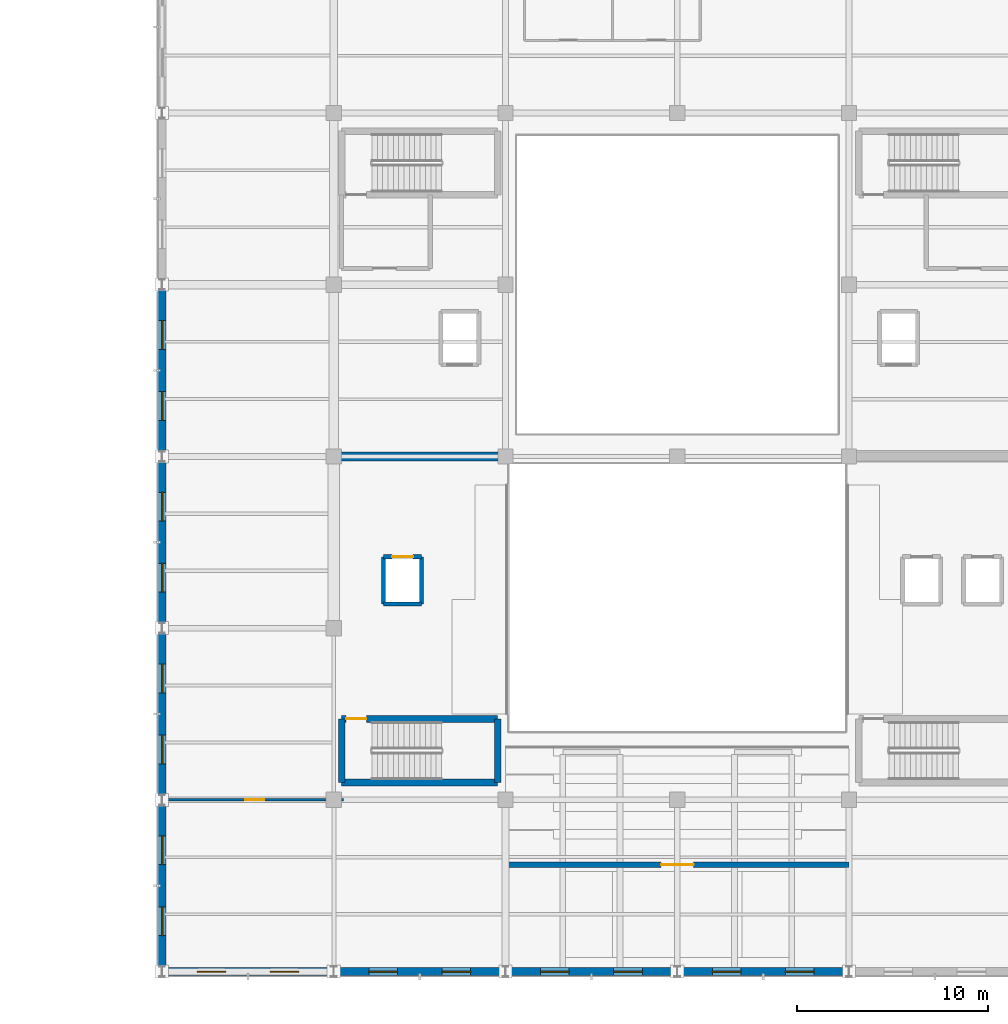
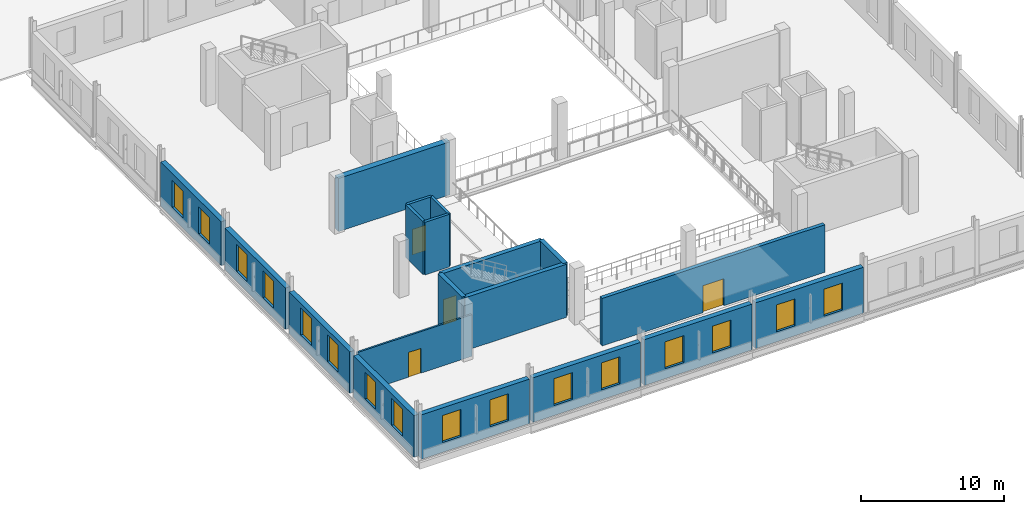
# One storey, part 18 of 35: 19 walls, 16 windows, 4 doors, 20 openings.
"""IFC4 building model written with IfcOpenShell, lengths in metres."""

from ifc_helpers import new_model, si_unit, direction, frame, frame_2d, origin, place, context, subcontext, project, spatial, rectangle, extrude, material, layer, layer_set, type_object, element, fill, save


model = new_model("IFC4")

# Units and contexts
model_context = context("Model", 3, precision=1e-05, world=origin(), true_north=direction((0.0, 1.0)))
body_context = subcontext(model_context, "Body", "Model", "MODEL_VIEW")
ifc_project = project(units=[si_unit("LENGTHUNIT", "METRE"), si_unit("AREAUNIT", "SQUARE_METRE"), si_unit("VOLUMEUNIT", "CUBIC_METRE"), si_unit("PLANEANGLEUNIT", "RADIAN"), si_unit("MASSUNIT", "GRAM", prefix="KILO")], contexts=[model_context])

# Site, building, storey
site_placement = place(None, origin())
site = spatial("IfcSite", under=ifc_project, at=site_placement, CompositionType="ELEMENT")
building_placement = place(site_placement, origin())
building = spatial("IfcBuilding", under=site, at=building_placement, Name="Sundgate Opera House", CompositionType="ELEMENT")
storey_placement = place(building_placement, frame((0.0, 0.0, 21.60009765625)))
storey = spatial("IfcBuildingStorey", under=building, at=storey_placement, Name="L04", CompositionType="ELEMENT", Elevation=21.60009765625)

# Wall
ifc_material_1 = material(Name="Concrete C40/50", Category="concrete")
ifc_layer_1 = layer(ifc_material_1, 0.35009765625)
ifc_layer_set_1 = layer_set([ifc_layer_1], Name="Concrete C40/50")
wall_type_1 = type_object("IfcWallType", Name="WL-CORE-350", PredefinedType="SHEAR", material=ifc_layer_set_1)
wall_1_placement = place(storey_placement, frame((36.409912109375, 42.909912109375, 0.0), z_axis=(0.0, 0.0, 1.0), x_axis=(1.0, 0.0, 0.0)))
element("IfcWall", 1, at=wall_1_placement, inside=storey, type_object=wall_type_1, Name="L04 C1 South Shaft Wall", PredefinedType="SHEAR", context=body_context, shape_type="SweptSolid", body=[
    extrude(rectangle(XDim=8.18017578125, YDim=0.35009765625, at=frame_2d((4.090087890625, 0.0))), origin(), (0.0, 0.0, 1.0), 4.539794921875),
])

# Wall, opening, door
wall_2_placement = place(storey_placement, frame((36.409912109375, 46.239990234375, 0.0), z_axis=(0.0, 0.0, 1.0), x_axis=(1.0, 0.0, 0.0)))
wall_2 = element("IfcWall", 2, at=wall_2_placement, inside=storey, type_object=wall_type_1, Name="L04 C1 North Shaft Wall", PredefinedType="SHEAR", context=body_context, shape_type="SweptSolid", body=[
    extrude(rectangle(XDim=8.18017578125, YDim=0.35009765625, at=frame_2d((4.090087890625, 0.0))), origin(), (0.0, 0.0, 1.0), 4.539794921875),
])
opening_1_placement = place(wall_2_placement, frame((0.239990234375, 0.0, 0.0)))
opening_1 = element("IfcOpeningElement", 3, at=opening_1_placement, cuts=wall_2, Name="Opening DI01", PredefinedType="OPENING", context=body_context, shape_type="SweptSolid", body=[
    extrude(rectangle(XDim=1.050048828125, YDim=2.179931640625, at=frame_2d((0.52490234375, 1.08984375))), frame((0.0, 0.18505859375, 0.0), z_axis=(0.0, -1.0, 0.0), x_axis=(1.0, 0.0, 0.0)), (0.0, 0.0, 1.0), 0.3701171875),
])
ifc_material_2 = material(Name="Acoustic hardwood timber and steel core", Category="steel")
door_type_1 = type_object("IfcDoorType", Name="DR-STAIR-1050x2180", OperationType="NOTDEFINED", PredefinedType="DOOR", material=ifc_material_2)
door_1_placement = place(opening_1_placement, origin())
door_1 = element("IfcDoor", 4, at=door_1_placement, inside=storey, type_object=door_type_1, Name="L04 C1 Stair Door D0030", OperationType="SINGLE_SWING_RIGHT", OverallHeight=2.179931640625, OverallWidth=1.050048828125, PredefinedType="DOOR", context=body_context, shape_type="SweptSolid", body=[
    extrude(rectangle(XDim=1.050048828125, YDim=2.179931640625, at=frame_2d((0.52490234375, 1.08984375))), frame((0.0, 0.02490234375, 0.0), z_axis=(0.0, -1.0, 0.0), x_axis=(1.0, 0.0, 0.0)), (0.0, 0.0, 1.0), 0.050048828125),
])
fill(opening_1, door_1)

# Walls
for number, where, z_axis, x_axis, name in (
    (5, (36.409912109375, 42.909912109375, 0.0), (0.0, 0.0, 1.0), (0.0, 1.0, 0.0), "L04 C1 West Shaft Wall"),
    (6, (44.590087890625, 42.909912109375, 0.0), (0.0, 0.0, 1.0), (0.0, 1.0, 0.0), "L04 C1 East Shaft Wall"),
):
    element("IfcWall", number, at=place(storey_placement, frame(where, z_axis=z_axis, x_axis=x_axis)), inside=storey, type_object=wall_type_1, Name=name, PredefinedType="SHEAR", context=body_context, shape_type="SweptSolid", body=[
        extrude(rectangle(XDim=3.330078125, YDim=0.35009765625, at=frame_2d((1.6650390625, 0.0))), origin(), (0.0, 0.0, 1.0), 4.539794921875),
    ])

# Wall, openings, windows
ifc_material_3 = material(Name="Vitrified stoneware trencadis and brick masonry", Category="masonry")
ifc_layer_2 = layer(ifc_material_3, 0.409912109375)
ifc_layer_set_2 = layer_set([ifc_layer_2], Name="Vitrified stoneware trencadis and brick masonry")
wall_type_2 = type_object("IfcWallType", Name="WL-EXT-TRENC-410", PredefinedType="SOLIDWALL", material=ifc_layer_set_2)
wall_3_placement = place(storey_placement, frame((35.85498046875, 33.0, 0.0), z_axis=(0.0, 0.0, 1.0), x_axis=(-1.0, 0.0, 0.0)))
wall_3 = element("IfcWall", 7, at=wall_3_placement, inside=storey, type_object=wall_type_2, Name="L04 Lifted Cube South Relief Wall W0093", PredefinedType="SOLIDWALL", context=body_context, shape_type="SweptSolid", body=[
    extrude(rectangle(XDim=8.7099609375, YDim=0.409912109375, at=frame_2d((4.35498046875, 0.0))), origin(), (0.0, 0.0, 1.0), 3.804931640625),
])
opening_2_placement = place(wall_3_placement, frame((1.68896484375, 0.0, 0.85009765625)))
opening_2 = element("IfcOpeningElement", 8, at=opening_2_placement, cuts=wall_3, Name="Opening W02", PredefinedType="OPENING", context=body_context, shape_type="SweptSolid", body=[
    extrude(rectangle(XDim=1.5, YDim=2.300048828125, at=frame_2d((0.75, 1.14990234375))), frame((0.0, 0.21484375, 0.0), z_axis=(0.0, -1.0, 0.0), x_axis=(1.0, 0.0, 0.0)), (0.0, 0.0, 1.0), 0.429931640625),
])
opening_3_placement = place(wall_3_placement, frame((5.52099609375, 0.0, 0.85009765625)))
opening_3 = element("IfcOpeningElement", 9, at=opening_3_placement, cuts=wall_3, Name="Opening W02", PredefinedType="OPENING", context=body_context, shape_type="SweptSolid", body=[
    extrude(rectangle(XDim=1.5, YDim=2.300048828125, at=frame_2d((0.75, 1.14990234375))), frame((0.0, 0.21484375, 0.0), z_axis=(0.0, -1.0, 0.0), x_axis=(1.0, 0.0, 0.0)), (0.0, 0.0, 1.0), 0.429931640625),
])
ifc_material_4 = material(Name="Low-iron triple glazing in patinated bronze frame", Category="glass")
window_type = type_object("IfcWindowType", Name="WN-CUBE-1500x2300", PartitioningType="SINGLE_PANEL", PredefinedType="WINDOW", material=ifc_material_4)
window_1_placement = place(opening_2_placement, origin())
window_1 = element("IfcWindow", 10, at=window_1_placement, inside=storey, type_object=window_type, Name="L04 Cube Loggia Window WN0057", OverallHeight=2.300048828125, OverallWidth=1.5, PartitioningType="SINGLE_PANEL", PredefinedType="WINDOW", context=body_context, shape_type="SweptSolid", body=[
    extrude(rectangle(XDim=1.5, YDim=2.300048828125, at=frame_2d((0.75, 1.14990234375))), frame((0.0, 0.030029296875, 0.0), z_axis=(0.0, -1.0, 0.0), x_axis=(1.0, 0.0, 0.0)), (0.0, 0.0, 1.0), 0.06005859375),
])
fill(opening_2, window_1)
window_2_placement = place(opening_3_placement, origin())
window_2 = element("IfcWindow", 11, at=window_2_placement, inside=storey, type_object=window_type, Name="L04 Cube Loggia Window WN0058", OverallHeight=2.300048828125, OverallWidth=1.5, PartitioningType="SINGLE_PANEL", PredefinedType="WINDOW", context=body_context, shape_type="SweptSolid", body=[
    extrude(rectangle(XDim=1.5, YDim=2.300048828125, at=frame_2d((0.75, 1.14990234375))), frame((0.0, 0.030029296875, 0.0), z_axis=(0.0, -1.0, 0.0), x_axis=(1.0, 0.0, 0.0)), (0.0, 0.0, 1.0), 0.06005859375),
])
fill(opening_3, window_2)

wall_4_placement = place(storey_placement, frame((44.85498046875, 33.0, 0.0), z_axis=(0.0, 0.0, 1.0), x_axis=(-1.0, 0.0, 0.0)))
wall_4 = element("IfcWall", 12, at=wall_4_placement, inside=storey, type_object=wall_type_2, Name="L04 Lifted Cube South Relief Wall W0095", PredefinedType="SOLIDWALL", context=body_context, shape_type="SweptSolid", body=[
    extrude(rectangle(XDim=8.7099609375, YDim=0.409912109375, at=frame_2d((4.35498046875, 0.0))), origin(), (0.0, 0.0, 1.0), 3.804931640625),
])
opening_4_placement = place(wall_4_placement, frame((1.68896484375, 0.0, 0.85009765625)))
opening_4 = element("IfcOpeningElement", 13, at=opening_4_placement, cuts=wall_4, Name="Opening W02", PredefinedType="OPENING", context=body_context, shape_type="SweptSolid", body=[
    extrude(rectangle(XDim=1.5, YDim=2.300048828125, at=frame_2d((0.75, 1.14990234375))), frame((0.0, 0.21484375, 0.0), z_axis=(0.0, -1.0, 0.0), x_axis=(1.0, 0.0, 0.0)), (0.0, 0.0, 1.0), 0.429931640625),
])
opening_5_placement = place(wall_4_placement, frame((5.52099609375, 0.0, 0.85009765625)))
opening_5 = element("IfcOpeningElement", 14, at=opening_5_placement, cuts=wall_4, Name="Opening W02", PredefinedType="OPENING", context=body_context, shape_type="SweptSolid", body=[
    extrude(rectangle(XDim=1.5, YDim=2.300048828125, at=frame_2d((0.75, 1.14990234375))), frame((0.0, 0.21484375, 0.0), z_axis=(0.0, -1.0, 0.0), x_axis=(1.0, 0.0, 0.0)), (0.0, 0.0, 1.0), 0.429931640625),
])
window_3_placement = place(opening_4_placement, origin())
window_3 = element("IfcWindow", 15, at=window_3_placement, inside=storey, type_object=window_type, Name="L04 Cube Loggia Window WN0061", OverallHeight=2.300048828125, OverallWidth=1.5, PartitioningType="SINGLE_PANEL", PredefinedType="WINDOW", context=body_context, shape_type="SweptSolid", body=[
    extrude(rectangle(XDim=1.5, YDim=2.300048828125, at=frame_2d((0.75, 1.14990234375))), frame((0.0, 0.030029296875, 0.0), z_axis=(0.0, -1.0, 0.0), x_axis=(1.0, 0.0, 0.0)), (0.0, 0.0, 1.0), 0.06005859375),
])
fill(opening_4, window_3)
window_4_placement = place(opening_5_placement, origin())
window_4 = element("IfcWindow", 16, at=window_4_placement, inside=storey, type_object=window_type, Name="L04 Cube Loggia Window WN0062", OverallHeight=2.300048828125, OverallWidth=1.5, PartitioningType="SINGLE_PANEL", PredefinedType="WINDOW", context=body_context, shape_type="SweptSolid", body=[
    extrude(rectangle(XDim=1.5, YDim=2.300048828125, at=frame_2d((0.75, 1.14990234375))), frame((0.0, 0.030029296875, 0.0), z_axis=(0.0, -1.0, 0.0), x_axis=(1.0, 0.0, 0.0)), (0.0, 0.0, 1.0), 0.06005859375),
])
fill(opening_5, window_4)

wall_5_placement = place(storey_placement, frame((53.85498046875, 33.0, 0.0), z_axis=(0.0, 0.0, 1.0), x_axis=(-1.0, 0.0, 0.0)))
wall_5 = element("IfcWall", 17, at=wall_5_placement, inside=storey, type_object=wall_type_2, Name="L04 Lifted Cube South Relief Wall W0097", PredefinedType="SOLIDWALL", context=body_context, shape_type="SweptSolid", body=[
    extrude(rectangle(XDim=8.7099609375, YDim=0.409912109375, at=frame_2d((4.35498046875, 0.0))), origin(), (0.0, 0.0, 1.0), 3.914794921875),
])
opening_6_placement = place(wall_5_placement, frame((1.68896484375, 0.0, 0.85009765625)))
opening_6 = element("IfcOpeningElement", 18, at=opening_6_placement, cuts=wall_5, Name="Opening W02", PredefinedType="OPENING", context=body_context, shape_type="SweptSolid", body=[
    extrude(rectangle(XDim=1.5, YDim=2.300048828125, at=frame_2d((0.75, 1.14990234375))), frame((0.0, 0.21484375, 0.0), z_axis=(0.0, -1.0, 0.0), x_axis=(1.0, 0.0, 0.0)), (0.0, 0.0, 1.0), 0.429931640625),
])
opening_7_placement = place(wall_5_placement, frame((5.52099609375, 0.0, 0.85009765625)))
opening_7 = element("IfcOpeningElement", 19, at=opening_7_placement, cuts=wall_5, Name="Opening W02", PredefinedType="OPENING", context=body_context, shape_type="SweptSolid", body=[
    extrude(rectangle(XDim=1.5, YDim=2.300048828125, at=frame_2d((0.75, 1.14990234375))), frame((0.0, 0.21484375, 0.0), z_axis=(0.0, -1.0, 0.0), x_axis=(1.0, 0.0, 0.0)), (0.0, 0.0, 1.0), 0.429931640625),
])
window_5_placement = place(opening_6_placement, origin())
window_5 = element("IfcWindow", 20, at=window_5_placement, inside=storey, type_object=window_type, Name="L04 Cube Loggia Window WN0065", OverallHeight=2.300048828125, OverallWidth=1.5, PartitioningType="SINGLE_PANEL", PredefinedType="WINDOW", context=body_context, shape_type="SweptSolid", body=[
    extrude(rectangle(XDim=1.5, YDim=2.300048828125, at=frame_2d((0.75, 1.14990234375))), frame((0.0, 0.030029296875, 0.0), z_axis=(0.0, -1.0, 0.0), x_axis=(1.0, 0.0, 0.0)), (0.0, 0.0, 1.0), 0.06005859375),
])
fill(opening_6, window_5)
window_6_placement = place(opening_7_placement, origin())
window_6 = element("IfcWindow", 21, at=window_6_placement, inside=storey, type_object=window_type, Name="L04 Cube Loggia Window WN0066", OverallHeight=2.300048828125, OverallWidth=1.5, PartitioningType="SINGLE_PANEL", PredefinedType="WINDOW", context=body_context, shape_type="SweptSolid", body=[
    extrude(rectangle(XDim=1.5, YDim=2.300048828125, at=frame_2d((0.75, 1.14990234375))), frame((0.0, 0.030029296875, 0.0), z_axis=(0.0, -1.0, 0.0), x_axis=(1.0, 0.0, 0.0)), (0.0, 0.0, 1.0), 0.06005859375),
])
fill(opening_7, window_6)

wall_6_placement = place(storey_placement, frame((62.85498046875, 33.0, 0.0), z_axis=(0.0, 0.0, 1.0), x_axis=(-1.0, 0.0, 0.0)))
wall_6 = element("IfcWall", 22, at=wall_6_placement, inside=storey, type_object=wall_type_2, Name="L04 Lifted Cube South Relief Wall W0099", PredefinedType="SOLIDWALL", context=body_context, shape_type="SweptSolid", body=[
    extrude(rectangle(XDim=8.7099609375, YDim=0.409912109375, at=frame_2d((4.35498046875, 0.0))), origin(), (0.0, 0.0, 1.0), 3.914794921875),
])
opening_8_placement = place(wall_6_placement, frame((1.68896484375, 0.0, 0.85009765625)))
opening_8 = element("IfcOpeningElement", 23, at=opening_8_placement, cuts=wall_6, Name="Opening W02", PredefinedType="OPENING", context=body_context, shape_type="SweptSolid", body=[
    extrude(rectangle(XDim=1.5, YDim=2.300048828125, at=frame_2d((0.75, 1.14990234375))), frame((0.0, 0.21484375, 0.0), z_axis=(0.0, -1.0, 0.0), x_axis=(1.0, 0.0, 0.0)), (0.0, 0.0, 1.0), 0.429931640625),
])
opening_9_placement = place(wall_6_placement, frame((5.52099609375, 0.0, 0.85009765625)))
opening_9 = element("IfcOpeningElement", 24, at=opening_9_placement, cuts=wall_6, Name="Opening W02", PredefinedType="OPENING", context=body_context, shape_type="SweptSolid", body=[
    extrude(rectangle(XDim=1.5, YDim=2.300048828125, at=frame_2d((0.75, 1.14990234375))), frame((0.0, 0.21484375, 0.0), z_axis=(0.0, -1.0, 0.0), x_axis=(1.0, 0.0, 0.0)), (0.0, 0.0, 1.0), 0.429931640625),
])
window_7_placement = place(opening_8_placement, origin())
window_7 = element("IfcWindow", 25, at=window_7_placement, inside=storey, type_object=window_type, Name="L04 Cube Loggia Window WN0069", OverallHeight=2.300048828125, OverallWidth=1.5, PartitioningType="SINGLE_PANEL", PredefinedType="WINDOW", context=body_context, shape_type="SweptSolid", body=[
    extrude(rectangle(XDim=1.5, YDim=2.300048828125, at=frame_2d((0.75, 1.14990234375))), frame((0.0, 0.030029296875, 0.0), z_axis=(0.0, -1.0, 0.0), x_axis=(1.0, 0.0, 0.0)), (0.0, 0.0, 1.0), 0.06005859375),
])
fill(opening_8, window_7)
window_8_placement = place(opening_9_placement, origin())
window_8 = element("IfcWindow", 26, at=window_8_placement, inside=storey, type_object=window_type, Name="L04 Cube Loggia Window WN0070", OverallHeight=2.300048828125, OverallWidth=1.5, PartitioningType="SINGLE_PANEL", PredefinedType="WINDOW", context=body_context, shape_type="SweptSolid", body=[
    extrude(rectangle(XDim=1.5, YDim=2.300048828125, at=frame_2d((0.75, 1.14990234375))), frame((0.0, 0.030029296875, 0.0), z_axis=(0.0, -1.0, 0.0), x_axis=(1.0, 0.0, 0.0)), (0.0, 0.0, 1.0), 0.06005859375),
])
fill(opening_9, window_8)

wall_7_placement = place(storey_placement, frame((27.0, 41.72998046875, 0.0), z_axis=(0.0, 0.0, 1.0), x_axis=(0.0, -1.0, 0.0)))
wall_7 = element("IfcWall", 27, at=wall_7_placement, inside=storey, type_object=wall_type_2, Name="L04 Lifted Cube West Relief Wall W0105", PredefinedType="SOLIDWALL", context=body_context, shape_type="SweptSolid", body=[
    extrude(rectangle(XDim=8.4599609375, YDim=0.409912109375, at=frame_2d((4.22998046875, 0.0))), origin(), (0.0, 0.0, 1.0), 3.554931640625),
])
opening_10_placement = place(wall_7_placement, frame((1.618896484375, 0.0, 0.85009765625)))
opening_10 = element("IfcOpeningElement", 28, at=opening_10_placement, cuts=wall_7, Name="Opening W02", PredefinedType="OPENING", context=body_context, shape_type="SweptSolid", body=[
    extrude(rectangle(XDim=1.5, YDim=2.300048828125, at=frame_2d((0.75, 1.14990234375))), frame((0.0, 0.21484375, 0.0), z_axis=(0.0, -1.0, 0.0), x_axis=(1.0, 0.0, 0.0)), (0.0, 0.0, 1.0), 0.429931640625),
])
opening_11_placement = place(wall_7_placement, frame((5.341064453125, 0.0, 0.85009765625)))
opening_11 = element("IfcOpeningElement", 29, at=opening_11_placement, cuts=wall_7, Name="Opening W02", PredefinedType="OPENING", context=body_context, shape_type="SweptSolid", body=[
    extrude(rectangle(XDim=1.5, YDim=2.300048828125, at=frame_2d((0.75, 1.14990234375))), frame((0.0, 0.21484375, 0.0), z_axis=(0.0, -1.0, 0.0), x_axis=(1.0, 0.0, 0.0)), (0.0, 0.0, 1.0), 0.429931640625),
])
window_9_placement = place(opening_10_placement, origin())
window_9 = element("IfcWindow", 30, at=window_9_placement, inside=storey, type_object=window_type, Name="L04 Cube Loggia Window WN0081", OverallHeight=2.300048828125, OverallWidth=1.5, PartitioningType="SINGLE_PANEL", PredefinedType="WINDOW", context=body_context, shape_type="SweptSolid", body=[
    extrude(rectangle(XDim=1.5, YDim=2.300048828125, at=frame_2d((0.75, 1.14990234375))), frame((0.0, 0.030029296875, 0.0), z_axis=(0.0, -1.0, 0.0), x_axis=(1.0, 0.0, 0.0)), (0.0, 0.0, 1.0), 0.06005859375),
])
fill(opening_10, window_9)
window_10_placement = place(opening_11_placement, origin())
window_10 = element("IfcWindow", 31, at=window_10_placement, inside=storey, type_object=window_type, Name="L04 Cube Loggia Window WN0082", OverallHeight=2.300048828125, OverallWidth=1.5, PartitioningType="SINGLE_PANEL", PredefinedType="WINDOW", context=body_context, shape_type="SweptSolid", body=[
    extrude(rectangle(XDim=1.5, YDim=2.300048828125, at=frame_2d((0.75, 1.14990234375))), frame((0.0, 0.030029296875, 0.0), z_axis=(0.0, -1.0, 0.0), x_axis=(1.0, 0.0, 0.0)), (0.0, 0.0, 1.0), 0.06005859375),
])
fill(opening_11, window_10)

wall_8_placement = place(storey_placement, frame((27.0, 50.72998046875, 0.0), z_axis=(0.0, 0.0, 1.0), x_axis=(0.0, -1.0, 0.0)))
wall_8 = element("IfcWall", 32, at=wall_8_placement, inside=storey, type_object=wall_type_2, Name="L04 Lifted Cube West Relief Wall W0107", PredefinedType="SOLIDWALL", context=body_context, shape_type="SweptSolid", body=[
    extrude(rectangle(XDim=8.4599609375, YDim=0.409912109375, at=frame_2d((4.22998046875, 0.0))), origin(), (0.0, 0.0, 1.0), 3.554931640625),
])
opening_12_placement = place(wall_8_placement, frame((1.618896484375, 0.0, 0.85009765625)))
opening_12 = element("IfcOpeningElement", 33, at=opening_12_placement, cuts=wall_8, Name="Opening W02", PredefinedType="OPENING", context=body_context, shape_type="SweptSolid", body=[
    extrude(rectangle(XDim=1.5, YDim=2.300048828125, at=frame_2d((0.75, 1.14990234375))), frame((0.0, 0.21484375, 0.0), z_axis=(0.0, -1.0, 0.0), x_axis=(1.0, 0.0, 0.0)), (0.0, 0.0, 1.0), 0.429931640625),
])
opening_13_placement = place(wall_8_placement, frame((5.341064453125, 0.0, 0.85009765625)))
opening_13 = element("IfcOpeningElement", 34, at=opening_13_placement, cuts=wall_8, Name="Opening W02", PredefinedType="OPENING", context=body_context, shape_type="SweptSolid", body=[
    extrude(rectangle(XDim=1.5, YDim=2.300048828125, at=frame_2d((0.75, 1.14990234375))), frame((0.0, 0.21484375, 0.0), z_axis=(0.0, -1.0, 0.0), x_axis=(1.0, 0.0, 0.0)), (0.0, 0.0, 1.0), 0.429931640625),
])
window_11_placement = place(opening_12_placement, origin())
window_11 = element("IfcWindow", 35, at=window_11_placement, inside=storey, type_object=window_type, Name="L04 Cube Loggia Window WN0085", OverallHeight=2.300048828125, OverallWidth=1.5, PartitioningType="SINGLE_PANEL", PredefinedType="WINDOW", context=body_context, shape_type="SweptSolid", body=[
    extrude(rectangle(XDim=1.5, YDim=2.300048828125, at=frame_2d((0.75, 1.14990234375))), frame((0.0, 0.030029296875, 0.0), z_axis=(0.0, -1.0, 0.0), x_axis=(1.0, 0.0, 0.0)), (0.0, 0.0, 1.0), 0.06005859375),
])
fill(opening_12, window_11)
window_12_placement = place(opening_13_placement, origin())
window_12 = element("IfcWindow", 36, at=window_12_placement, inside=storey, type_object=window_type, Name="L04 Cube Loggia Window WN0086", OverallHeight=2.300048828125, OverallWidth=1.5, PartitioningType="SINGLE_PANEL", PredefinedType="WINDOW", context=body_context, shape_type="SweptSolid", body=[
    extrude(rectangle(XDim=1.5, YDim=2.300048828125, at=frame_2d((0.75, 1.14990234375))), frame((0.0, 0.030029296875, 0.0), z_axis=(0.0, -1.0, 0.0), x_axis=(1.0, 0.0, 0.0)), (0.0, 0.0, 1.0), 0.06005859375),
])
fill(opening_13, window_12)

wall_9_placement = place(storey_placement, frame((27.0, 59.72998046875, 0.0), z_axis=(0.0, 0.0, 1.0), x_axis=(0.0, -1.0, 0.0)))
wall_9 = element("IfcWall", 37, at=wall_9_placement, inside=storey, type_object=wall_type_2, Name="L04 Lifted Cube West Relief Wall W0109", PredefinedType="SOLIDWALL", context=body_context, shape_type="SweptSolid", body=[
    extrude(rectangle(XDim=8.4599609375, YDim=0.409912109375, at=frame_2d((4.22998046875, 0.0))), origin(), (0.0, 0.0, 1.0), 3.554931640625),
])
opening_14_placement = place(wall_9_placement, frame((1.618896484375, 0.0, 0.85009765625)))
opening_14 = element("IfcOpeningElement", 38, at=opening_14_placement, cuts=wall_9, Name="Opening W02", PredefinedType="OPENING", context=body_context, shape_type="SweptSolid", body=[
    extrude(rectangle(XDim=1.5, YDim=2.300048828125, at=frame_2d((0.75, 1.14990234375))), frame((0.0, 0.21484375, 0.0), z_axis=(0.0, -1.0, 0.0), x_axis=(1.0, 0.0, 0.0)), (0.0, 0.0, 1.0), 0.429931640625),
])
opening_15_placement = place(wall_9_placement, frame((5.341064453125, 0.0, 0.85009765625)))
opening_15 = element("IfcOpeningElement", 39, at=opening_15_placement, cuts=wall_9, Name="Opening W02", PredefinedType="OPENING", context=body_context, shape_type="SweptSolid", body=[
    extrude(rectangle(XDim=1.5, YDim=2.300048828125, at=frame_2d((0.75, 1.14990234375))), frame((0.0, 0.21484375, 0.0), z_axis=(0.0, -1.0, 0.0), x_axis=(1.0, 0.0, 0.0)), (0.0, 0.0, 1.0), 0.429931640625),
])
window_13_placement = place(opening_14_placement, origin())
window_13 = element("IfcWindow", 40, at=window_13_placement, inside=storey, type_object=window_type, Name="L04 Cube Loggia Window WN0089", OverallHeight=2.300048828125, OverallWidth=1.5, PartitioningType="SINGLE_PANEL", PredefinedType="WINDOW", context=body_context, shape_type="SweptSolid", body=[
    extrude(rectangle(XDim=1.5, YDim=2.300048828125, at=frame_2d((0.75, 1.14990234375))), frame((0.0, 0.030029296875, 0.0), z_axis=(0.0, -1.0, 0.0), x_axis=(1.0, 0.0, 0.0)), (0.0, 0.0, 1.0), 0.06005859375),
])
fill(opening_14, window_13)
window_14_placement = place(opening_15_placement, origin())
window_14 = element("IfcWindow", 41, at=window_14_placement, inside=storey, type_object=window_type, Name="L04 Cube Loggia Window WN0090", OverallHeight=2.300048828125, OverallWidth=1.5, PartitioningType="SINGLE_PANEL", PredefinedType="WINDOW", context=body_context, shape_type="SweptSolid", body=[
    extrude(rectangle(XDim=1.5, YDim=2.300048828125, at=frame_2d((0.75, 1.14990234375))), frame((0.0, 0.030029296875, 0.0), z_axis=(0.0, -1.0, 0.0), x_axis=(1.0, 0.0, 0.0)), (0.0, 0.0, 1.0), 0.06005859375),
])
fill(opening_15, window_14)

wall_10_placement = place(storey_placement, frame((27.0, 68.72998046875, 0.0), z_axis=(0.0, 0.0, 1.0), x_axis=(0.0, -1.0, 0.0)))
wall_10 = element("IfcWall", 42, at=wall_10_placement, inside=storey, type_object=wall_type_2, Name="L04 Lifted Cube West Relief Wall W0111", PredefinedType="SOLIDWALL", context=body_context, shape_type="SweptSolid", body=[
    extrude(rectangle(XDim=8.4599609375, YDim=0.409912109375, at=frame_2d((4.22998046875, 0.0))), origin(), (0.0, 0.0, 1.0), 3.7548828125),
])
opening_16_placement = place(wall_10_placement, frame((1.618896484375, 0.0, 0.85009765625)))
opening_16 = element("IfcOpeningElement", 43, at=opening_16_placement, cuts=wall_10, Name="Opening W02", PredefinedType="OPENING", context=body_context, shape_type="SweptSolid", body=[
    extrude(rectangle(XDim=1.5, YDim=2.300048828125, at=frame_2d((0.75, 1.14990234375))), frame((0.0, 0.21484375, 0.0), z_axis=(0.0, -1.0, 0.0), x_axis=(1.0, 0.0, 0.0)), (0.0, 0.0, 1.0), 0.429931640625),
])
opening_17_placement = place(wall_10_placement, frame((5.341064453125, 0.0, 0.85009765625)))
opening_17 = element("IfcOpeningElement", 44, at=opening_17_placement, cuts=wall_10, Name="Opening W02", PredefinedType="OPENING", context=body_context, shape_type="SweptSolid", body=[
    extrude(rectangle(XDim=1.5, YDim=2.300048828125, at=frame_2d((0.75, 1.14990234375))), frame((0.0, 0.21484375, 0.0), z_axis=(0.0, -1.0, 0.0), x_axis=(1.0, 0.0, 0.0)), (0.0, 0.0, 1.0), 0.429931640625),
])
window_15_placement = place(opening_16_placement, origin())
window_15 = element("IfcWindow", 45, at=window_15_placement, inside=storey, type_object=window_type, Name="L04 Cube Loggia Window WN0093", OverallHeight=2.300048828125, OverallWidth=1.5, PartitioningType="SINGLE_PANEL", PredefinedType="WINDOW", context=body_context, shape_type="SweptSolid", body=[
    extrude(rectangle(XDim=1.5, YDim=2.300048828125, at=frame_2d((0.75, 1.14990234375))), frame((0.0, 0.030029296875, 0.0), z_axis=(0.0, -1.0, 0.0), x_axis=(1.0, 0.0, 0.0)), (0.0, 0.0, 1.0), 0.06005859375),
])
fill(opening_16, window_15)
window_16_placement = place(opening_17_placement, origin())
window_16 = element("IfcWindow", 46, at=window_16_placement, inside=storey, type_object=window_type, Name="L04 Cube Loggia Window WN0094", OverallHeight=2.300048828125, OverallWidth=1.5, PartitioningType="SINGLE_PANEL", PredefinedType="WINDOW", context=body_context, shape_type="SweptSolid", body=[
    extrude(rectangle(XDim=1.5, YDim=2.300048828125, at=frame_2d((0.75, 1.14990234375))), frame((0.0, 0.030029296875, 0.0), z_axis=(0.0, -1.0, 0.0), x_axis=(1.0, 0.0, 0.0)), (0.0, 0.0, 1.0), 0.06005859375),
])
fill(opening_17, window_16)

# Wall, opening, door
ifc_material_5 = material(Name="Double-leaf acoustic concrete blockwork C35/45", Category="masonry")
ifc_layer_3 = layer(ifc_material_5, 0.300048828125)
ifc_layer_set_3 = layer_set([ifc_layer_3], Name="Double-leaf acoustic concrete blockwork C35/45")
wall_type_3 = type_object("IfcWallType", Name="WL-INT-ACOUST-300", PredefinedType="PARTITIONING", material=ifc_layer_set_3)
wall_11_placement = place(storey_placement, frame((45.0, 38.60009765625, 0.0), z_axis=(0.0, 0.0, 1.0), x_axis=(1.0, 0.0, 0.0)))
wall_11 = element("IfcWall", 47, at=wall_11_placement, inside=storey, type_object=wall_type_3, Name="L04 Interior Partition W1078", PredefinedType="PARTITIONING", context=body_context, shape_type="SweptSolid", body=[
    extrude(rectangle(XDim=18.0, YDim=0.300048828125, at=frame_2d((9.0, 0.0))), origin(), (0.0, 0.0, 1.0), 4.06494140625),
])
opening_18_placement = place(wall_11_placement, frame((8.14990234375, 0.0, 0.0)))
opening_18 = element("IfcOpeningElement", 48, at=opening_18_placement, cuts=wall_11, Name="Opening DI04", PredefinedType="OPENING", context=body_context, shape_type="SweptSolid", body=[
    extrude(rectangle(XDim=1.699951171875, YDim=2.300048828125, at=frame_2d((0.85009765625, 1.14990234375))), frame((0.0, 0.159912109375, 0.0), z_axis=(0.0, -1.0, 0.0), x_axis=(1.0, 0.0, 0.0)), (0.0, 0.0, 1.0), 0.320068359375),
])
ifc_material_6 = material(Name="Acoustic hardwood timber and steel core", Category="steel")
door_type_2 = type_object("IfcDoorType", Name="DR-AUD-1700x2300", OperationType="DOUBLE_DOOR_SINGLE_SWING", PredefinedType="DOOR", material=ifc_material_6)
door_2_placement = place(opening_18_placement, origin())
door_2 = element("IfcDoor", 49, at=door_2_placement, inside=storey, type_object=door_type_2, Name="L04 Interior Door D0233", OperationType="DOUBLE_DOOR_SINGLE_SWING", OverallHeight=2.300048828125, OverallWidth=1.699951171875, PredefinedType="DOOR", context=body_context, shape_type="SweptSolid", body=[
    extrude(rectangle(XDim=1.699951171875, YDim=2.300048828125, at=frame_2d((0.85009765625, 1.14990234375))), frame((0.0, 0.02490234375, 0.0), z_axis=(0.0, -1.0, 0.0), x_axis=(1.0, 0.0, 0.0)), (0.0, 0.0, 1.0), 0.050048828125),
])
fill(opening_18, door_2)

# Wall
ifc_material_7 = material(Name="Fire-rated gypsum and mineral-wool shaft partition", Category="gypsum")
ifc_layer_4 = layer(ifc_material_7, 0.219970703125)
ifc_layer_set_4 = layer_set([ifc_layer_4], Name="Fire-rated gypsum and mineral-wool shaft partition")
wall_type_4 = type_object("IfcWallType", Name="WL-INT-FIRE-220", PredefinedType="PARTITIONING", material=ifc_layer_set_4)
wall_12_placement = place(storey_placement, frame((38.610107421875, 52.260009765625, 0.0), z_axis=(0.0, 0.0, 1.0), x_axis=(1.0, 0.0, 0.0)))
element("IfcWall", 50, at=wall_12_placement, inside=storey, type_object=wall_type_4, Name="L04 LF-03 South Shaft Wall", PredefinedType="PARTITIONING", context=body_context, shape_type="SweptSolid", body=[
    extrude(rectangle(XDim=1.97998046875, YDim=0.219970703125, at=frame_2d((0.989990234375, 0.0))), origin(), (0.0, 0.0, 1.0), 4.5048828125),
])

# Wall, opening, door
wall_13_placement = place(storey_placement, frame((38.610107421875, 54.739990234375, 0.0), z_axis=(0.0, 0.0, 1.0), x_axis=(1.0, 0.0, 0.0)))
wall_13 = element("IfcWall", 51, at=wall_13_placement, inside=storey, type_object=wall_type_4, Name="L04 LF-03 North Shaft Wall", PredefinedType="PARTITIONING", context=body_context, shape_type="SweptSolid", body=[
    extrude(rectangle(XDim=1.97998046875, YDim=0.219970703125, at=frame_2d((0.989990234375, 0.0))), origin(), (0.0, 0.0, 1.0), 4.5048828125),
])
opening_19_placement = place(wall_13_placement, frame((0.43994140625, 0.0, 0.0)))
opening_19 = element("IfcOpeningElement", 52, at=opening_19_placement, cuts=wall_13, Name="Opening LD1", PredefinedType="OPENING", context=body_context, shape_type="SweptSolid", body=[
    extrude(rectangle(XDim=1.10009765625, YDim=2.179931640625, at=frame_2d((0.550048828125, 1.08984375))), frame((0.0, 0.119873046875, 0.0), z_axis=(0.0, -1.0, 0.0), x_axis=(1.0, 0.0, 0.0)), (0.0, 0.0, 1.0), 0.239990234375),
])
ifc_material_8 = material(Name="Brushed stainless steel EN 1.4301", Category="steel")
door_type_3 = type_object("IfcDoorType", Name="DR-LIFT-1100x2180", OperationType="DOUBLE_DOOR_SLIDING", PredefinedType="DOOR", material=ifc_material_8)
door_3_placement = place(opening_19_placement, origin())
door_3 = element("IfcDoor", 53, at=door_3_placement, inside=storey, type_object=door_type_3, Name="L04 LF-03 Landing Door D0111", OperationType="DOUBLE_DOOR_SLIDING", OverallHeight=2.179931640625, OverallWidth=1.10009765625, PredefinedType="DOOR", context=body_context, shape_type="SweptSolid", body=[
    extrude(rectangle(XDim=1.10009765625, YDim=2.179931640625, at=frame_2d((0.550048828125, 1.08984375))), frame((0.0, 0.02490234375, 0.0), z_axis=(0.0, -1.0, 0.0), x_axis=(1.0, 0.0, 0.0)), (0.0, 0.0, 1.0), 0.050048828125),
])
fill(opening_19, door_3)

# Walls
for number, where, z_axis, x_axis, name in (
    (54, (38.610107421875, 52.260009765625, 0.0), (0.0, 0.0, 1.0), (0.0, 1.0, 0.0), "L04 LF-03 West Shaft Wall"),
    (55, (40.590087890625, 52.260009765625, 0.0), (0.0, 0.0, 1.0), (0.0, 1.0, 0.0), "L04 LF-03 East Shaft Wall"),
):
    element("IfcWall", number, at=place(storey_placement, frame(where, z_axis=z_axis, x_axis=x_axis)), inside=storey, type_object=wall_type_4, Name=name, PredefinedType="PARTITIONING", context=body_context, shape_type="SweptSolid", body=[
        extrude(rectangle(XDim=2.47998046875, YDim=0.219970703125, at=frame_2d((1.239990234375, 0.0))), origin(), (0.0, 0.0, 1.0), 4.5048828125),
    ])

# Wall, opening, door
ifc_material_9 = material(Name="General studio partition", Category="gypsum")
ifc_layer_5 = layer(ifc_material_9, 0.14501953125)
ifc_layer_set_5 = layer_set([ifc_layer_5], Name="General studio partition")
wall_type_5 = type_object("IfcWallType", Name="WL-INT-PART-145", PredefinedType="PARTITIONING", material=ifc_layer_set_5)
wall_14_placement = place(storey_placement, frame((27.199951171875, 42.0, 0.0), z_axis=(0.0, 0.0, 1.0), x_axis=(1.0, 0.0, 0.0)))
wall_14 = element("IfcWall", 56, at=wall_14_placement, inside=storey, type_object=wall_type_5, Name="L04 Interior Partition W1079", PredefinedType="PARTITIONING", context=body_context, shape_type="SweptSolid", body=[
    extrude(rectangle(XDim=9.300048828125, YDim=0.14501953125, at=frame_2d((4.64990234375, 0.0))), origin(), (0.0, 0.0, 1.0), 3.554931640625),
])
opening_20_placement = place(wall_14_placement, frame((4.14990234375, 0.0, 0.0)))
opening_20 = element("IfcOpeningElement", 57, at=opening_20_placement, cuts=wall_14, Name="Opening DI10", PredefinedType="OPENING", context=body_context, shape_type="SweptSolid", body=[
    extrude(rectangle(XDim=1.0, YDim=2.1201171875, at=frame_2d((0.5, 1.06005859375))), frame((0.0, 0.08251953125, 0.0), z_axis=(0.0, -1.0, 0.0), x_axis=(1.0, 0.0, 0.0)), (0.0, 0.0, 1.0), 0.1650390625),
])
ifc_material_10 = material(Name="Acoustic hardwood timber and steel core", Category="steel")
door_type_4 = type_object("IfcDoorType", Name="DR-UNR-1000x2120", OperationType="NOTDEFINED", PredefinedType="DOOR", material=ifc_material_10)
door_4_placement = place(opening_20_placement, origin())
door_4 = element("IfcDoor", 58, at=door_4_placement, inside=storey, type_object=door_type_4, Name="L04 Interior Door D0234", OperationType="SINGLE_SWING_RIGHT", OverallHeight=2.1201171875, OverallWidth=1.0, PredefinedType="DOOR", context=body_context, shape_type="SweptSolid", body=[
    extrude(rectangle(XDim=1.0, YDim=2.1201171875, at=frame_2d((0.5, 1.06005859375))), frame((0.0, 0.02490234375, 0.0), z_axis=(0.0, -1.0, 0.0), x_axis=(1.0, 0.0, 0.0)), (0.0, 0.0, 1.0), 0.050048828125),
])
fill(opening_20, door_4)

# Wall
ifc_material_11 = material(Name="Concrete C40/50", Category="concrete")
ifc_layer_6 = layer(ifc_material_11, 0.47998046875)
ifc_layer_set_6 = layer_set([ifc_layer_6], Name="Concrete C40/50")
wall_type_6 = type_object("IfcWallType", Name="WL-PROS-480", PredefinedType="SHEAR", material=ifc_layer_set_6)
wall_15_placement = place(storey_placement, frame((36.0, 60.0, 0.0), z_axis=(0.0, 0.0, 1.0), x_axis=(1.0, 0.0, 0.0)))
element("IfcWall", 59, at=wall_15_placement, inside=storey, type_object=wall_type_6, Name="L04 Proscenium Shear Wall W0018", PredefinedType="SHEAR", context=body_context, shape_type="SweptSolid", body=[
    extrude(rectangle(XDim=9.0, YDim=0.47998046875, at=frame_2d((4.5, 0.0))), origin(), (0.0, 0.0, 1.0), 4.539794921875),
])

save(model, "model.ifc")
